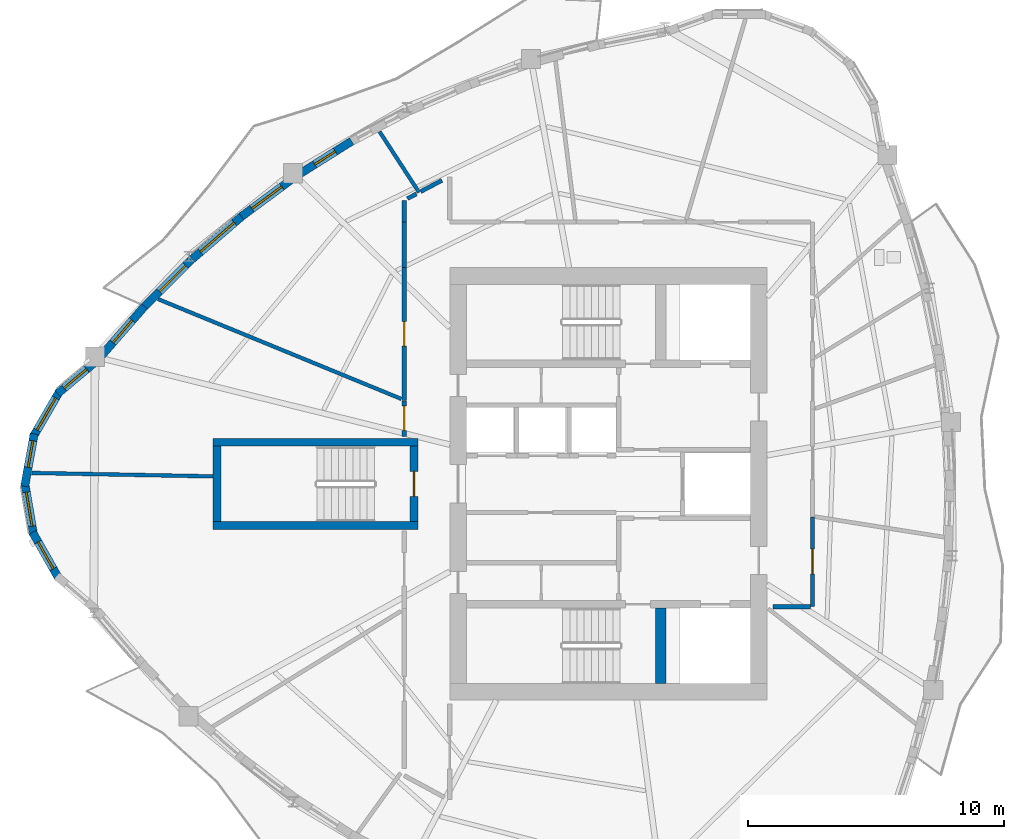
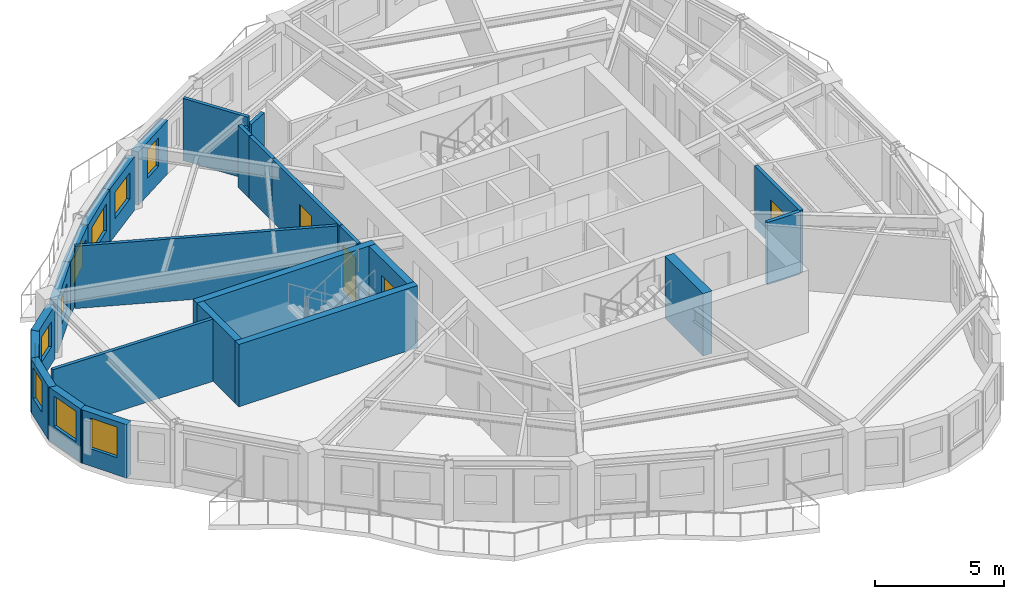
# One storey, part 4 of 12: 26 walls, 10 windows, 4 doors, 14 openings.
"""IFC4 building model written with IfcOpenShell, lengths in metres."""

from ifc_helpers import new_model, si_unit, direction, frame, frame_2d, origin, place, context, subcontext, project, spatial, rectangle, extrude, source, transform, mapped, material, layer, layer_set, type_object, element, fill, save


model = new_model("IFC4")

# Units and contexts
model_context = context("Model", 3, precision=1e-05, world=origin(), true_north=direction((0.0, 1.0)))
body_context = subcontext(model_context, "Body", "Model", "MODEL_VIEW")
ifc_project = project(units=[si_unit("LENGTHUNIT", "METRE"), si_unit("AREAUNIT", "SQUARE_METRE"), si_unit("VOLUMEUNIT", "CUBIC_METRE"), si_unit("PLANEANGLEUNIT", "RADIAN"), si_unit("MASSUNIT", "GRAM", prefix="KILO")], contexts=[model_context])

# Site, building, storey
site_placement = place(None, origin())
site = spatial("IfcSite", under=ifc_project, at=site_placement, CompositionType="ELEMENT")
building_placement = place(site_placement, origin())
building = spatial("IfcBuilding", under=site, at=building_placement, Name="Qafzar Sky-Pleat Residences", CompositionType="ELEMENT")
storey_placement = place(building_placement, frame((0.0, 0.0, 174.60009765625)))
storey = spatial("IfcBuildingStorey", under=building, at=storey_placement, Name="L52", CompositionType="ELEMENT", Elevation=174.60009765625)

# Wall, opening, door
ifc_material_1 = material(Name="Acoustic gypsum plasterboard partition", Category="gypsum")
ifc_layer_1 = layer(ifc_material_1, 0.159912109375)
ifc_layer_set_1 = layer_set([ifc_layer_1], Name="Acoustic gypsum plasterboard partition")
wall_type_1 = type_object("IfcWallType", Name="PART-COR-160", PredefinedType="PARTITIONING", material=ifc_layer_set_1)
wall_1_placement = place(storey_placement, frame((22.3701171875, 29.259033203125, 0.0), z_axis=(0.0, 0.0, 1.0), x_axis=(0.0, 1.0, 0.0)))
wall_1 = element("IfcWall", 1, at=wall_1_placement, inside=storey, type_object=wall_type_1, Name="L52 Partition Wall PART-L52-PW-002", PredefinedType="PARTITIONING", context=body_context, shape_type="SweptSolid", body=[
    extrude(rectangle(XDim=5.19091796875, YDim=0.159912109375, at=frame_2d((2.595458984375, 0.0))), origin(), (0.0, 0.0, 1.0), 2.949951171875),
])
opening_1_placement = place(wall_1_placement, frame((2.12353515625, 0.0, 0.0)))
opening_1 = element("IfcOpeningElement", 2, at=opening_1_placement, cuts=wall_1, Name="Opening ID-06", PredefinedType="OPENING", context=body_context, shape_type="SweptSolid", body=[
    extrude(rectangle(XDim=0.9599609375, YDim=2.10009765625, at=frame_2d((0.47998046875, 1.050048828125))), frame((0.0, 0.08984375, 0.0), z_axis=(0.0, -1.0, 0.0), x_axis=(1.0, 0.0, 0.0)), (0.0, 0.0, 1.0), 0.179931640625),
])
ifc_material_2 = material(Name="Timber-faced fire door", Category="wood")
door_type_1 = type_object("IfcDoorType", Name="DR-STD-960", OperationType="NOTDEFINED", PredefinedType="DOOR", material=ifc_material_2)
shared_shape_1 = source(origin(), body_context, "Body", "SweptSolid", [
    extrude(rectangle(XDim=0.9599609375, YDim=2.10009765625, at=frame_2d((0.47998046875, 1.050048828125))), frame((0.0, 0.02490234375, 0.0), z_axis=(0.0, -1.0, 0.0), x_axis=(1.0, 0.0, 0.0)), (0.0, 0.0, 1.0), 0.050048828125),
])
door_1_placement = place(opening_1_placement, origin())
door_1 = element("IfcDoor", 3, at=door_1_placement, inside=storey, type_object=door_type_1, Name="L52 Faculty Research Office Door", OperationType="SINGLE_SWING_RIGHT", OverallHeight=2.10009765625, OverallWidth=0.9599609375, PredefinedType="DOOR", context=body_context, shape_type="MappedRepresentation", body=[
    mapped(shared_shape_1, transform((0.0, 0.0, 0.0), x_axis=(1.0, 0.0, 0.0), y_axis=(0.0, 1.0, 0.0), z_axis=(0.0, 0.0, 1.0), scale=1.0)),
])
fill(opening_1, door_1)

wall_2_placement = place(storey_placement, frame((38.330078125, 24.705078125, 0.0), z_axis=(0.0, 0.0, 1.0), x_axis=(0.0, -1.0, 0.0)))
wall_2 = element("IfcWall", 4, at=wall_2_placement, inside=storey, type_object=wall_type_1, Name="L52 Partition Wall PART-L52-PW-007", PredefinedType="PARTITIONING", context=body_context, shape_type="SweptSolid", body=[
    extrude(rectangle(XDim=3.505126953125, YDim=0.159912109375, at=frame_2d((1.75244140625, 0.0))), origin(), (0.0, 0.0, 1.0), 2.949951171875),
])
opening_2_placement = place(wall_2_placement, frame((1.257568359375, 0.0, 0.0)))
opening_2 = element("IfcOpeningElement", 5, at=opening_2_placement, cuts=wall_2, Name="Opening ID-06", PredefinedType="OPENING", context=body_context, shape_type="SweptSolid", body=[
    extrude(rectangle(XDim=0.9599609375, YDim=2.10009765625, at=frame_2d((0.47998046875, 1.050048828125))), frame((0.0, 0.08984375, 0.0), z_axis=(0.0, -1.0, 0.0), x_axis=(1.0, 0.0, 0.0)), (0.0, 0.0, 1.0), 0.179931640625),
])
door_2_placement = place(opening_2_placement, origin())
door_2 = element("IfcDoor", 6, at=door_2_placement, inside=storey, type_object=door_type_1, Name="L52 Media Screening Room Door", OperationType="SINGLE_SWING_LEFT", OverallHeight=2.10009765625, OverallWidth=0.9599609375, PredefinedType="DOOR", context=body_context, shape_type="MappedRepresentation", body=[
    mapped(shared_shape_1, transform((0.0, 0.0, 0.0), x_axis=(1.0, 0.0, 0.0), y_axis=(0.0, 1.0, 0.0), z_axis=(0.0, 0.0, 1.0), scale=1.0)),
])
fill(opening_2, door_2)

wall_3_placement = place(storey_placement, frame((22.3701171875, 27.85009765625, 0.0), z_axis=(0.0, 0.0, 1.0), x_axis=(0.0, 1.0, 0.0)))
wall_3 = element("IfcWall", 7, at=wall_3_placement, inside=storey, type_object=wall_type_1, Name="L52 Partition Wall PART-L52-PW-012", PredefinedType="PARTITIONING", context=body_context, shape_type="SweptSolid", body=[
    extrude(rectangle(XDim=1.393798828125, YDim=0.159912109375, at=frame_2d((0.69677734375, 0.0))), origin(), (0.0, 0.0, 1.0), 2.949951171875),
])
opening_3_placement = place(wall_3_placement, frame((0.23876953125, 0.0, 0.0)))
opening_3 = element("IfcOpeningElement", 8, at=opening_3_placement, cuts=wall_3, Name="Opening ID-06", PredefinedType="OPENING", context=body_context, shape_type="SweptSolid", body=[
    extrude(rectangle(XDim=0.9599609375, YDim=2.10009765625, at=frame_2d((0.47998046875, 1.050048828125))), frame((0.0, 0.08984375, 0.0), z_axis=(0.0, -1.0, 0.0), x_axis=(1.0, 0.0, 0.0)), (0.0, 0.0, 1.0), 0.179931640625),
])
door_3_placement = place(opening_3_placement, origin())
door_3 = element("IfcDoor", 9, at=door_3_placement, inside=storey, type_object=door_type_1, Name="L52 Scholar Co-Working Workspace Door", OperationType="SINGLE_SWING_RIGHT", OverallHeight=2.10009765625, OverallWidth=0.9599609375, PredefinedType="DOOR", context=body_context, shape_type="MappedRepresentation", body=[
    mapped(shared_shape_1, transform((0.0, 0.0, 0.0), x_axis=(1.0, 0.0, 0.0), y_axis=(0.0, 1.0, 0.0), z_axis=(0.0, 0.0, 1.0), scale=1.0)),
])
fill(opening_3, door_3)

# Walls
wall_4_placement = place(storey_placement, frame((36.7783203125, 21.199951171875, 0.0), z_axis=(0.0, 0.0, 1.0), x_axis=(1.0, 0.0, 0.0)))
element("IfcWall", 10, at=wall_4_placement, inside=storey, type_object=wall_type_1, Name="L52 Partition Wall PART-L52-PW-025", PredefinedType="PARTITIONING", context=body_context, shape_type="SweptSolid", body=[
    extrude(rectangle(XDim=1.463623046875, YDim=0.159912109375, at=frame_2d((0.73193359375, 0.0))), origin(), (0.0, 0.0, 1.0), 2.949951171875),
])
wall_5_placement = place(storey_placement, frame((22.3701171875, 34.465087890625, 0.0), z_axis=(0.0, 0.0, 1.0), x_axis=(0.0, 1.0, 0.0)))
element("IfcWall", 11, at=wall_5_placement, inside=storey, type_object=wall_type_1, Name="L52 Partition Wall PART-L52-PW-030", PredefinedType="PARTITIONING", context=body_context, shape_type="SweptSolid", body=[
    extrude(rectangle(XDim=1.764892578125, YDim=0.159912109375, at=frame_2d((0.88232421875, 0.0))), origin(), (0.0, 0.0, 1.0), 2.949951171875),
])
wall_6_placement = place(storey_placement, frame((23.013916015625, 37.426025390625, 0.0), z_axis=(0.0, 0.0, 1.0), x_axis=(0.884432472224, 0.466668192697, 0.0)))
element("IfcWall", 12, at=wall_6_placement, inside=storey, type_object=wall_type_1, Name="L52 Partition Wall PART-L52-PW-032", PredefinedType="PARTITIONING", context=body_context, shape_type="SweptSolid", body=[
    extrude(rectangle(XDim=0.9384765625, YDim=0.159912109375, at=frame_2d((0.46923828125, 0.0))), origin(), (0.0, 0.0, 1.0), 2.557861328125),
])
wall_7_placement = place(storey_placement, frame((22.3701171875, 36.2451171875, 0.0), z_axis=(0.0, 0.0, 1.0), x_axis=(0.0, 1.0, 0.0)))
element("IfcWall", 13, at=wall_7_placement, inside=storey, type_object=wall_type_1, Name="L52 Partition Wall PART-L52-PW-033", PredefinedType="PARTITIONING", context=body_context, shape_type="SweptSolid", body=[
    extrude(rectangle(XDim=0.8408203125, YDim=0.159912109375, at=frame_2d((0.42041015625, 0.0))), origin(), (0.0, 0.0, 1.0), 2.949951171875),
])
wall_8_placement = place(storey_placement, frame((22.494384765625, 37.151611328125, 0.0), z_axis=(0.0, 0.0, 1.0), x_axis=(0.884356504768, 0.466812138311, 0.0)))
element("IfcWall", 14, at=wall_8_placement, inside=storey, type_object=wall_type_1, Name="L52 Partition Wall PART-L52-PW-034", PredefinedType="PARTITIONING", context=body_context, shape_type="SweptSolid", body=[
    extrude(rectangle(XDim=0.396484375, YDim=0.159912109375, at=frame_2d((0.1982421875, 0.0))), origin(), (0.0, 0.0, 1.0), 2.557861328125),
])
ifc_layer_2 = layer(ifc_material_1, 0.14501953125)
ifc_layer_set_2 = layer_set([ifc_layer_2], Name="Acoustic gypsum plasterboard partition")
wall_type_2 = type_object("IfcWallType", Name="PART-UNIT-145", PredefinedType="PARTITIONING", material=ifc_layer_set_2)
wall_9_placement = place(storey_placement, frame((12.74853515625, 33.22265625, 0.0), z_axis=(0.0, 0.0, 1.0), x_axis=(0.925160061079, -0.379577213996, 0.0)))
element("IfcWall", 15, at=wall_9_placement, inside=storey, type_object=wall_type_2, Name="L52 Partition Wall PART-L52-PW-013", PredefinedType="PARTITIONING", context=body_context, shape_type="SweptSolid", body=[
    extrude(rectangle(XDim=10.275634765625, YDim=0.14501953125, at=frame_2d((5.1376953125, 0.0))), origin(), (0.0, 0.0, 1.0), 2.949951171875),
])
wall_10_placement = place(storey_placement, frame((7.810546875, 26.428466796875, 0.0), z_axis=(0.0, 0.0, 1.0), x_axis=(0.99982020308, -0.0189621073, 0.0)))
element("IfcWall", 16, at=wall_10_placement, inside=storey, type_object=wall_type_2, Name="L52 Partition Wall PART-L52-PW-017", PredefinedType="PARTITIONING", context=body_context, shape_type="SweptSolid", body=[
    extrude(rectangle(XDim=7.081298828125, YDim=0.14501953125, at=frame_2d((3.54052734375, 0.0))), origin(), (0.0, 0.0, 1.0), 2.949951171875),
])
wall_11_placement = place(storey_placement, frame((21.404541015625, 39.771240234375, 0.0), z_axis=(0.0, 0.0, 1.0), x_axis=(0.544731217197, -0.838610696933, 0.0)))
element("IfcWall", 17, at=wall_11_placement, inside=storey, type_object=wall_type_2, Name="L52 Partition Wall PART-L52-PW-024", PredefinedType="PARTITIONING", context=body_context, shape_type="SweptSolid", body=[
    extrude(rectangle(XDim=2.8369140625, YDim=0.14501953125, at=frame_2d((1.41845703125, 0.0))), origin(), (0.0, 0.0, 1.0), 2.949951171875),
])

# Wall, opening, window
ifc_material_3 = material(Name="Precast concrete C40/50 with honed Riyadh limestone", Category="concrete")
ifc_layer_3 = layer(ifc_material_3, 0.320068359375)
ifc_layer_set_3 = layer_set([ifc_layer_3], Name="Precast concrete C40/50 with honed Riyadh limestone")
wall_type_3 = type_object("IfcWallType", Name="WALL-EXT-320", PredefinedType="SOLIDWALL", material=ifc_layer_set_3)
wall_12_placement = place(storey_placement, frame((10.259521484375, 30.738525390625, 0.0), z_axis=(0.0, 0.0, 1.0), x_axis=(-0.766567176116, -0.642164125829, 0.0)))
wall_12 = element("IfcWall", 18, at=wall_12_placement, inside=storey, type_object=wall_type_3, Name="L52 Limestone Facade Wall 1", PredefinedType="SOLIDWALL", context=body_context, shape_type="SweptSolid", body=[
    extrude(rectangle(XDim=1.878173828125, YDim=0.320068359375, at=frame_2d((0.93896484375, 0.0))), origin(), (0.0, 0.0, 1.0), 2.52978515625),
])
opening_4_placement = place(wall_12_placement, frame((0.39892578125, 0.0, 0.820068359375)))
opening_4 = element("IfcOpeningElement", 19, at=opening_4_placement, cuts=wall_12, Name="Opening WN-16", PredefinedType="OPENING", context=body_context, shape_type="SweptSolid", body=[
    extrude(rectangle(XDim=1.14990234375, YDim=1.199951171875, at=frame_2d((0.574951171875, 0.60009765625))), frame((0.0, 0.169921875, 0.0), z_axis=(0.0, -1.0, 0.0), x_axis=(1.0, 0.0, 0.0)), (0.0, 0.0, 1.0), 0.340087890625),
])
ifc_material_4 = material(Name="Solar-control low-E glass in bronze aluminium frame", Category="glass")
window_type_1 = type_object("IfcWindowType", Name="WIN-16", PartitioningType="SINGLE_PANEL", PredefinedType="WINDOW", material=ifc_material_4)
shared_shape_2 = source(origin(), body_context, "Body", "SweptSolid", [
    extrude(rectangle(XDim=1.14990234375, YDim=1.199951171875, at=frame_2d((0.574951171875, 0.60009765625))), frame((0.0, 0.030029296875, 0.0), z_axis=(0.0, -1.0, 0.0), x_axis=(1.0, 0.0, 0.0)), (0.0, 0.0, 1.0), 0.06005859375),
])
window_1_placement = place(opening_4_placement, origin())
window_1 = element("IfcWindow", 20, at=window_1_placement, inside=storey, type_object=window_type_1, Name="L52 Punched Facade Window 01", OverallHeight=1.199951171875, OverallWidth=1.14990234375, PartitioningType="SINGLE_PANEL", PredefinedType="WINDOW", context=body_context, shape_type="MappedRepresentation", body=[
    mapped(shared_shape_2, transform((0.0, 0.0, 0.0), x_axis=(1.0, 0.0, 0.0), y_axis=(0.0, 1.0, 0.0), z_axis=(0.0, 0.0, 1.0), scale=1.0)),
])
fill(opening_4, window_1)

wall_13_placement = place(storey_placement, frame((8.90380859375, 29.632080078125, 0.0), z_axis=(0.0, 0.0, 1.0), x_axis=(-0.502090235641, -0.864815237651, 0.0)))
wall_13 = element("IfcWall", 21, at=wall_13_placement, inside=storey, type_object=wall_type_3, Name="L52 Limestone Facade Wall 2", PredefinedType="SOLIDWALL", context=body_context, shape_type="SweptSolid", body=[
    extrude(rectangle(XDim=2.0810546875, YDim=0.320068359375, at=frame_2d((1.04052734375, 0.0))), origin(), (0.0, 0.0, 1.0), 2.52978515625),
])
opening_5_placement = place(wall_13_placement, frame((0.3154296875, 0.0, 0.820068359375)))
opening_5 = element("IfcOpeningElement", 22, at=opening_5_placement, cuts=wall_13, Name="Opening WN-15", PredefinedType="OPENING", context=body_context, shape_type="SweptSolid", body=[
    extrude(rectangle(XDim=1.449951171875, YDim=1.25, at=frame_2d((0.72509765625, 0.625))), frame((0.0, 0.169921875, 0.0), z_axis=(0.0, -1.0, 0.0), x_axis=(1.0, 0.0, 0.0)), (0.0, 0.0, 1.0), 0.340087890625),
])
window_type_2 = type_object("IfcWindowType", Name="WIN-15", PartitioningType="SINGLE_PANEL", PredefinedType="WINDOW", material=ifc_material_4)
shared_shape_3 = source(origin(), body_context, "Body", "SweptSolid", [
    extrude(rectangle(XDim=1.449951171875, YDim=1.25, at=frame_2d((0.72509765625, 0.625))), frame((0.0, 0.030029296875, 0.0), z_axis=(0.0, -1.0, 0.0), x_axis=(1.0, 0.0, 0.0)), (0.0, 0.0, 1.0), 0.06005859375),
])
window_2_placement = place(opening_5_placement, origin())
window_2 = element("IfcWindow", 23, at=window_2_placement, inside=storey, type_object=window_type_2, Name="L52 Punched Facade Window 02", OverallHeight=1.25, OverallWidth=1.449951171875, PartitioningType="SINGLE_PANEL", PredefinedType="WINDOW", context=body_context, shape_type="MappedRepresentation", body=[
    mapped(shared_shape_3, transform((0.0, 0.0, 0.0), x_axis=(1.0, 0.0, 0.0), y_axis=(0.0, 1.0, 0.0), z_axis=(0.0, 0.0, 1.0), scale=1.0)),
])
fill(opening_5, window_2)

wall_14_placement = place(storey_placement, frame((7.90380859375, 27.95458984375, 0.0), z_axis=(0.0, 0.0, 1.0), x_axis=(-0.177605215389, -0.984101817632, 0.0)))
wall_14 = element("IfcWall", 24, at=wall_14_placement, inside=storey, type_object=wall_type_3, Name="L52 Limestone Facade Wall 3", PredefinedType="SOLIDWALL", context=body_context, shape_type="SweptSolid", body=[
    extrude(rectangle(XDim=2.081298828125, YDim=0.320068359375, at=frame_2d((1.04052734375, 0.0))), origin(), (0.0, 0.0, 1.0), 2.52978515625),
])
opening_6_placement = place(wall_14_placement, frame((0.276611328125, 0.0, 0.820068359375)))
opening_6 = element("IfcOpeningElement", 25, at=opening_6_placement, cuts=wall_14, Name="Opening WN-06", PredefinedType="OPENING", context=body_context, shape_type="SweptSolid", body=[
    extrude(rectangle(XDim=1.050048828125, YDim=1.449951171875, at=frame_2d((0.52490234375, 0.72509765625))), frame((0.0, 0.169921875, 0.0), z_axis=(0.0, -1.0, 0.0), x_axis=(1.0, 0.0, 0.0)), (0.0, 0.0, 1.0), 0.340087890625),
])
window_type_3 = type_object("IfcWindowType", Name="WIN-06", PartitioningType="SINGLE_PANEL", PredefinedType="WINDOW", material=ifc_material_4)
shared_shape_4 = source(origin(), body_context, "Body", "SweptSolid", [
    extrude(rectangle(XDim=1.050048828125, YDim=1.449951171875, at=frame_2d((0.52490234375, 0.72509765625))), frame((0.0, 0.030029296875, 0.0), z_axis=(0.0, -1.0, 0.0), x_axis=(1.0, 0.0, 0.0)), (0.0, 0.0, 1.0), 0.06005859375),
])
window_3_placement = place(opening_6_placement, origin())
window_3 = element("IfcWindow", 26, at=window_3_placement, inside=storey, type_object=window_type_3, Name="L52 Punched Facade Window 03", OverallHeight=1.449951171875, OverallWidth=1.050048828125, PartitioningType="SINGLE_PANEL", PredefinedType="WINDOW", context=body_context, shape_type="MappedRepresentation", body=[
    mapped(shared_shape_4, transform((0.0, 0.0, 0.0), x_axis=(1.0, 0.0, 0.0), y_axis=(0.0, 1.0, 0.0), z_axis=(0.0, 0.0, 1.0), scale=1.0)),
])
fill(opening_6, window_3)

wall_15_placement = place(storey_placement, frame((7.53466796875, 26.03662109375, 0.0), z_axis=(0.0, 0.0, 1.0), x_axis=(0.168107405166, -0.985768685001, 0.0)))
wall_15 = element("IfcWall", 27, at=wall_15_placement, inside=storey, type_object=wall_type_3, Name="L52 Limestone Facade Wall 4", PredefinedType="SOLIDWALL", context=body_context, shape_type="SweptSolid", body=[
    extrude(rectangle(XDim=2.0810546875, YDim=0.320068359375, at=frame_2d((1.04052734375, 0.0))), origin(), (0.0, 0.0, 1.0), 2.52978515625),
])
opening_7_placement = place(wall_15_placement, frame((0.365478515625, 0.0, 0.820068359375)))
opening_7 = element("IfcOpeningElement", 28, at=opening_7_placement, cuts=wall_15, Name="Opening WN-04", PredefinedType="OPENING", context=body_context, shape_type="SweptSolid", body=[
    extrude(rectangle(XDim=1.35009765625, YDim=1.449951171875, at=frame_2d((0.675048828125, 0.72509765625))), frame((0.0, 0.169921875, 0.0), z_axis=(0.0, -1.0, 0.0), x_axis=(1.0, 0.0, 0.0)), (0.0, 0.0, 1.0), 0.340087890625),
])
window_type_4 = type_object("IfcWindowType", Name="WIN-04", PartitioningType="SINGLE_PANEL", PredefinedType="WINDOW", material=ifc_material_4)
shared_shape_5 = source(origin(), body_context, "Body", "SweptSolid", [
    extrude(rectangle(XDim=1.35009765625, YDim=1.449951171875, at=frame_2d((0.675048828125, 0.72509765625))), frame((0.0, 0.030029296875, 0.0), z_axis=(0.0, -1.0, 0.0), x_axis=(1.0, 0.0, 0.0)), (0.0, 0.0, 1.0), 0.06005859375),
])
window_4_placement = place(opening_7_placement, origin())
window_4 = element("IfcWindow", 29, at=window_4_placement, inside=storey, type_object=window_type_4, Name="L52 Punched Facade Window 04", OverallHeight=1.449951171875, OverallWidth=1.35009765625, PartitioningType="SINGLE_PANEL", PredefinedType="WINDOW", context=body_context, shape_type="MappedRepresentation", body=[
    mapped(shared_shape_5, transform((0.0, 0.0, 0.0), x_axis=(1.0, 0.0, 0.0), y_axis=(0.0, 1.0, 0.0), z_axis=(0.0, 0.0, 1.0), scale=1.0)),
])
fill(opening_7, window_4)

wall_16_placement = place(storey_placement, frame((7.8408203125, 24.10791015625, 0.0), z_axis=(0.0, 0.0, 1.0), x_axis=(0.493660675866, -0.869654607936, 0.0)))
wall_16 = element("IfcWall", 30, at=wall_16_placement, inside=storey, type_object=wall_type_3, Name="L52 Limestone Facade Wall 5", PredefinedType="SOLIDWALL", context=body_context, shape_type="SweptSolid", body=[
    extrude(rectangle(XDim=2.0810546875, YDim=0.320068359375, at=frame_2d((1.04052734375, 0.0))), origin(), (0.0, 0.0, 1.0), 2.52978515625),
])
opening_8_placement = place(wall_16_placement, frame((0.4404296875, 0.0, 0.820068359375)))
opening_8 = element("IfcOpeningElement", 31, at=opening_8_placement, cuts=wall_16, Name="Opening WN-05", PredefinedType="OPENING", context=body_context, shape_type="SweptSolid", body=[
    extrude(rectangle(XDim=1.199951171875, YDim=1.449951171875, at=frame_2d((0.60009765625, 0.72509765625))), frame((0.0, 0.169921875, 0.0), z_axis=(0.0, -1.0, 0.0), x_axis=(1.0, 0.0, 0.0)), (0.0, 0.0, 1.0), 0.340087890625),
])
window_type_5 = type_object("IfcWindowType", Name="WIN-05", PartitioningType="SINGLE_PANEL", PredefinedType="WINDOW", material=ifc_material_4)
shared_shape_6 = source(origin(), body_context, "Body", "SweptSolid", [
    extrude(rectangle(XDim=1.199951171875, YDim=1.449951171875, at=frame_2d((0.60009765625, 0.72509765625))), frame((0.0, 0.030029296875, 0.0), z_axis=(0.0, -1.0, 0.0), x_axis=(1.0, 0.0, 0.0)), (0.0, 0.0, 1.0), 0.06005859375),
])
window_5_placement = place(opening_8_placement, origin())
window_5 = element("IfcWindow", 32, at=window_5_placement, inside=storey, type_object=window_type_5, Name="L52 Punched Facade Window 05", OverallHeight=1.449951171875, OverallWidth=1.199951171875, PartitioningType="SINGLE_PANEL", PredefinedType="WINDOW", context=body_context, shape_type="MappedRepresentation", body=[
    mapped(shared_shape_6, transform((0.0, 0.0, 0.0), x_axis=(1.0, 0.0, 0.0), y_axis=(0.0, 1.0, 0.0), z_axis=(0.0, 0.0, 1.0), scale=1.0)),
])
fill(opening_8, window_5)

wall_17_placement = place(storey_placement, frame((20.315673828125, 39.397705078125, 0.0), z_axis=(0.0, 0.0, 1.0), x_axis=(-0.846391108811, -0.532561818878, 0.0)))
wall_17 = element("IfcWall", 33, at=wall_17_placement, inside=storey, type_object=wall_type_3, Name="L52 Limestone Facade Wall 44", PredefinedType="SOLIDWALL", context=body_context, shape_type="SweptSolid", body=[
    extrude(rectangle(XDim=2.446533203125, YDim=0.320068359375, at=frame_2d((1.22314453125, 0.0))), origin(), (0.0, 0.0, 1.0), 2.52978515625),
])
opening_9_placement = place(wall_17_placement, frame((0.75341796875, 0.0, 0.820068359375)))
opening_9 = element("IfcOpeningElement", 34, at=opening_9_placement, cuts=wall_17, Name="Opening WN-12", PredefinedType="OPENING", context=body_context, shape_type="SweptSolid", body=[
    extrude(rectangle(XDim=0.949951171875, YDim=1.35009765625, at=frame_2d((0.47509765625, 0.675048828125))), frame((0.0, 0.169921875, 0.0), z_axis=(0.0, -1.0, 0.0), x_axis=(1.0, 0.0, 0.0)), (0.0, 0.0, 1.0), 0.340087890625),
])
window_type_6 = type_object("IfcWindowType", Name="WIN-12", PartitioningType="SINGLE_PANEL", PredefinedType="WINDOW", material=ifc_material_4)
shared_shape_7 = source(origin(), body_context, "Body", "SweptSolid", [
    extrude(rectangle(XDim=0.949951171875, YDim=1.35009765625, at=frame_2d((0.47509765625, 0.675048828125))), frame((0.0, 0.030029296875, 0.0), z_axis=(0.0, -1.0, 0.0), x_axis=(1.0, 0.0, 0.0)), (0.0, 0.0, 1.0), 0.06005859375),
])
window_6_placement = place(opening_9_placement, origin())
window_6 = element("IfcWindow", 35, at=window_6_placement, inside=storey, type_object=window_type_6, Name="L52 Punched Facade Window 44", OverallHeight=1.35009765625, OverallWidth=0.949951171875, PartitioningType="SINGLE_PANEL", PredefinedType="WINDOW", context=body_context, shape_type="MappedRepresentation", body=[
    mapped(shared_shape_7, transform((0.0, 0.0, 0.0), x_axis=(1.0, 0.0, 0.0), y_axis=(0.0, 1.0, 0.0), z_axis=(0.0, 0.0, 1.0), scale=1.0)),
])
fill(opening_9, window_6)

wall_18_placement = place(storey_placement, frame((17.982421875, 37.91552734375, 0.0), z_axis=(0.0, 0.0, 1.0), x_axis=(-0.803827672273, -0.594862230511, 0.0)))
wall_18 = element("IfcWall", 36, at=wall_18_placement, inside=storey, type_object=wall_type_3, Name="L52 Limestone Facade Wall 45", PredefinedType="SOLIDWALL", context=body_context, shape_type="SweptSolid", body=[
    extrude(rectangle(XDim=2.461669921875, YDim=0.320068359375, at=frame_2d((1.23095703125, 0.0))), origin(), (0.0, 0.0, 1.0), 2.52978515625),
])
opening_10_placement = place(wall_18_placement, frame((0.500732421875, 0.0, 0.820068359375)))
opening_10 = element("IfcOpeningElement", 37, at=opening_10_placement, cuts=wall_18, Name="Opening WN-15", PredefinedType="OPENING", context=body_context, shape_type="SweptSolid", body=[
    extrude(rectangle(XDim=1.449951171875, YDim=1.25, at=frame_2d((0.72509765625, 0.625))), frame((0.0, 0.169921875, 0.0), z_axis=(0.0, -1.0, 0.0), x_axis=(1.0, 0.0, 0.0)), (0.0, 0.0, 1.0), 0.340087890625),
])
window_7_placement = place(opening_10_placement, origin())
window_7 = element("IfcWindow", 38, at=window_7_placement, inside=storey, type_object=window_type_2, Name="L52 Punched Facade Window 45", OverallHeight=1.25, OverallWidth=1.449951171875, PartitioningType="SINGLE_PANEL", PredefinedType="WINDOW", context=body_context, shape_type="MappedRepresentation", body=[
    mapped(shared_shape_3, transform((0.0, 0.0, 0.0), x_axis=(1.0, 0.0, 0.0), y_axis=(0.0, 1.0, 0.0), z_axis=(0.0, 0.0, 1.0), scale=1.0)),
])
fill(opening_10, window_7)

wall_19_placement = place(storey_placement, frame((16.072265625, 36.506103515625, 0.0), z_axis=(0.0, 0.0, 1.0), x_axis=(-0.757455764876, -0.652886486502, 0.0)))
wall_19 = element("IfcWall", 39, at=wall_19_placement, inside=storey, type_object=wall_type_3, Name="L52 Limestone Facade Wall 46", PredefinedType="SOLIDWALL", context=body_context, shape_type="SweptSolid", body=[
    extrude(rectangle(XDim=2.635986328125, YDim=0.320068359375, at=frame_2d((1.31787109375, 0.0))), origin(), (0.0, 0.0, 1.0), 2.52978515625),
])
opening_11_placement = place(wall_19_placement, frame((0.452880859375, 0.0, 0.820068359375)))
opening_11 = element("IfcOpeningElement", 40, at=opening_11_placement, cuts=wall_19, Name="Opening WN-14", PredefinedType="OPENING", context=body_context, shape_type="SweptSolid", body=[
    extrude(rectangle(XDim=1.75, YDim=1.300048828125, at=frame_2d((0.875, 0.64990234375))), frame((0.0, 0.169921875, 0.0), z_axis=(0.0, -1.0, 0.0), x_axis=(1.0, 0.0, 0.0)), (0.0, 0.0, 1.0), 0.340087890625),
])
window_type_7 = type_object("IfcWindowType", Name="WIN-14", PartitioningType="DOUBLE_PANEL_VERTICAL", PredefinedType="WINDOW", material=ifc_material_4)
shared_shape_8 = source(origin(), body_context, "Body", "SweptSolid", [
    extrude(rectangle(XDim=1.75, YDim=1.300048828125, at=frame_2d((0.875, 0.64990234375))), frame((0.0, 0.030029296875, 0.0), z_axis=(0.0, -1.0, 0.0), x_axis=(1.0, 0.0, 0.0)), (0.0, 0.0, 1.0), 0.06005859375),
])
window_8_placement = place(opening_11_placement, origin())
window_8 = element("IfcWindow", 41, at=window_8_placement, inside=storey, type_object=window_type_7, Name="L52 Punched Facade Window 46", OverallHeight=1.300048828125, OverallWidth=1.75, PartitioningType="SINGLE_PANEL", PredefinedType="WINDOW", context=body_context, shape_type="MappedRepresentation", body=[
    mapped(shared_shape_8, transform((0.0, 0.0, 0.0), x_axis=(1.0, 0.0, 0.0), y_axis=(0.0, 1.0, 0.0), z_axis=(0.0, 0.0, 1.0), scale=1.0)),
])
fill(opening_11, window_8)

wall_20_placement = place(storey_placement, frame((14.054931640625, 34.765869140625, 0.0), z_axis=(0.0, 0.0, 1.0), x_axis=(-0.708335777277, -0.705875645301, 0.0)))
wall_20 = element("IfcWall", 42, at=wall_20_placement, inside=storey, type_object=wall_type_3, Name="L52 Limestone Facade Wall 47", PredefinedType="SOLIDWALL", context=body_context, shape_type="SweptSolid", body=[
    extrude(rectangle(XDim=2.679443359375, YDim=0.320068359375, at=frame_2d((1.33984375, 0.0))), origin(), (0.0, 0.0, 1.0), 2.52978515625),
])
opening_12_placement = place(wall_20_placement, frame((0.316650390625, 0.0, 0.820068359375)))
opening_12 = element("IfcOpeningElement", 43, at=opening_12_placement, cuts=wall_20, Name="Opening WN-15", PredefinedType="OPENING", context=body_context, shape_type="SweptSolid", body=[
    extrude(rectangle(XDim=1.449951171875, YDim=1.25, at=frame_2d((0.72509765625, 0.625))), frame((0.0, 0.169921875, 0.0), z_axis=(0.0, -1.0, 0.0), x_axis=(1.0, 0.0, 0.0)), (0.0, 0.0, 1.0), 0.340087890625),
])
window_9_placement = place(opening_12_placement, origin())
window_9 = element("IfcWindow", 44, at=window_9_placement, inside=storey, type_object=window_type_2, Name="L52 Punched Facade Window 47", OverallHeight=1.25, OverallWidth=1.449951171875, PartitioningType="SINGLE_PANEL", PredefinedType="WINDOW", context=body_context, shape_type="MappedRepresentation", body=[
    mapped(shared_shape_3, transform((0.0, 0.0, 0.0), x_axis=(1.0, 0.0, 0.0), y_axis=(0.0, 1.0, 0.0), z_axis=(0.0, 0.0, 1.0), scale=1.0)),
])
fill(opening_12, window_9)

wall_21_placement = place(storey_placement, frame((12.21630859375, 32.938232421875, 0.0), z_axis=(0.0, 0.0, 1.0), x_axis=(-0.657623701515, -0.753346578412, 0.0)))
wall_21 = element("IfcWall", 45, at=wall_21_placement, inside=storey, type_object=wall_type_3, Name="L52 Limestone Facade Wall 48", PredefinedType="SOLIDWALL", context=body_context, shape_type="SweptSolid", body=[
    extrude(rectangle(XDim=2.59130859375, YDim=0.320068359375, at=frame_2d((1.295654296875, 0.0))), origin(), (0.0, 0.0, 1.0), 2.52978515625),
])
opening_13_placement = place(wall_21_placement, frame((0.7255859375, 0.0, 0.820068359375)))
opening_13 = element("IfcOpeningElement", 46, at=opening_13_placement, cuts=wall_21, Name="Opening WN-16", PredefinedType="OPENING", context=body_context, shape_type="SweptSolid", body=[
    extrude(rectangle(XDim=1.14990234375, YDim=1.199951171875, at=frame_2d((0.574951171875, 0.60009765625))), frame((0.0, 0.169921875, 0.0), z_axis=(0.0, -1.0, 0.0), x_axis=(1.0, 0.0, 0.0)), (0.0, 0.0, 1.0), 0.340087890625),
])
window_10_placement = place(opening_13_placement, origin())
window_10 = element("IfcWindow", 47, at=window_10_placement, inside=storey, type_object=window_type_1, Name="L52 Punched Facade Window 48", OverallHeight=1.199951171875, OverallWidth=1.14990234375, PartitioningType="SINGLE_PANEL", PredefinedType="WINDOW", context=body_context, shape_type="MappedRepresentation", body=[
    mapped(shared_shape_2, transform((0.0, 0.0, 0.0), x_axis=(1.0, 0.0, 0.0), y_axis=(0.0, 1.0, 0.0), z_axis=(0.0, 0.0, 1.0), scale=1.0)),
])
fill(opening_13, window_10)

# Walls
ifc_material_5 = material(Name="Concrete C60/75", Category="concrete")
ifc_layer_4 = layer(ifc_material_5, 0.300048828125)
ifc_layer_set_4 = layer_set([ifc_layer_4], Name="Concrete C60/75")
wall_type_4 = type_object("IfcWallType", Name="WALL-SHEAR-300", PredefinedType="SHEAR", material=ifc_layer_set_4)
for number, where, z_axis, x_axis, name in (
    (48, (14.89990234375, 24.375, 0.0), (0.0, 0.0, 1.0), (1.0, 0.0, 0.0), "L52 ST3 wall S"),
    (49, (22.89990234375, 27.625, 0.0), (0.0, 0.0, 1.0), (-1.0, 0.0, 0.0), "L52 ST3 wall N"),
):
    element("IfcWall", number, at=place(storey_placement, frame(where, z_axis=z_axis, x_axis=x_axis)), inside=storey, type_object=wall_type_4, Name=name, PredefinedType="SHEAR", context=body_context, shape_type="SweptSolid", body=[
        extrude(rectangle(XDim=8.0, YDim=0.300048828125, at=frame_2d((4.0, 0.0))), origin(), (0.0, 0.0, 1.0), 2.949951171875),
    ])
wall_22_placement = place(storey_placement, frame((15.050048828125, 27.47509765625, 0.0), z_axis=(0.0, 0.0, 1.0), x_axis=(0.0, -1.0, 0.0)))
element("IfcWall", 50, at=wall_22_placement, inside=storey, type_object=wall_type_4, Name="L52 ST3 wall W", PredefinedType="SHEAR", context=body_context, shape_type="SweptSolid", body=[
    extrude(rectangle(XDim=2.9501953125, YDim=0.300048828125, at=frame_2d((1.47509765625, 0.0))), origin(), (0.0, 0.0, 1.0), 2.949951171875),
])

# Wall, opening, door
wall_23_placement = place(storey_placement, frame((22.75, 24.52490234375, 0.0), z_axis=(0.0, 0.0, 1.0), x_axis=(0.0, 1.0, 0.0)))
wall_23 = element("IfcWall", 51, at=wall_23_placement, inside=storey, type_object=wall_type_4, Name="L52 ST3 wall E", PredefinedType="SHEAR", context=body_context, shape_type="SweptSolid", body=[
    extrude(rectangle(XDim=2.9501953125, YDim=0.300048828125, at=frame_2d((1.47509765625, 0.0))), origin(), (0.0, 0.0, 1.0), 2.949951171875),
])
opening_14_placement = place(wall_23_placement, frame((0.985107421875, 0.0, 0.0)))
opening_14 = element("IfcOpeningElement", 52, at=opening_14_placement, cuts=wall_23, Name="Opening ID-01", PredefinedType="OPENING", context=body_context, shape_type="SweptSolid", body=[
    extrude(rectangle(XDim=0.97998046875, YDim=2.14990234375, at=frame_2d((0.489990234375, 1.074951171875))), frame((0.0, 0.16015625, 0.0), z_axis=(0.0, -1.0, 0.0), x_axis=(1.0, 0.0, 0.0)), (0.0, 0.0, 1.0), 0.320068359375),
])
door_type_2 = type_object("IfcDoorType", Name="DR-STAIR-980", OperationType="NOTDEFINED", PredefinedType="DOOR", material=ifc_material_2)
shared_shape_9 = source(origin(), body_context, "Body", "SweptSolid", [
    extrude(rectangle(XDim=0.97998046875, YDim=2.14990234375, at=frame_2d((0.489990234375, 1.074951171875))), frame((0.0, 0.02490234375, 0.0), z_axis=(0.0, -1.0, 0.0), x_axis=(1.0, 0.0, 0.0)), (0.0, 0.0, 1.0), 0.050048828125),
])
door_4_placement = place(opening_14_placement, origin())
door_4 = element("IfcDoor", 53, at=door_4_placement, inside=storey, type_object=door_type_2, Name="L52 Stair ST3 Fire Door", OperationType="SINGLE_SWING_LEFT", OverallHeight=2.14990234375, OverallWidth=0.97998046875, PredefinedType="DOOR", context=body_context, shape_type="MappedRepresentation", body=[
    mapped(shared_shape_9, transform((0.0, 0.0, 0.0), x_axis=(1.0, 0.0, 0.0), y_axis=(0.0, 1.0, 0.0), z_axis=(0.0, 0.0, 1.0), scale=1.0)),
])
fill(opening_14, door_4)

# Wall
ifc_layer_5 = layer(ifc_material_5, 0.39990234375)
ifc_layer_set_5 = layer_set([ifc_layer_5], Name="Concrete C60/75")
wall_type_5 = type_object("IfcWallType", Name="WALL-SHEAR-400", PredefinedType="SHEAR", material=ifc_layer_set_5)
wall_24_placement = place(storey_placement, frame((32.39990234375, 18.199951171875, 0.0), z_axis=(0.0, 0.0, 1.0), x_axis=(0.0, 1.0, 0.0)))
element("IfcWall", 54, at=wall_24_placement, inside=storey, type_object=wall_type_5, Name="L52 Stair ST1 East Dividing Wall", PredefinedType="SHEAR", context=body_context, shape_type="SweptSolid", body=[
    extrude(rectangle(XDim=2.949951171875, YDim=0.39990234375, at=frame_2d((1.47509765625, 0.0))), origin(), (0.0, 0.0, 1.0), 2.949951171875),
])

save(model, "model.ifc")
